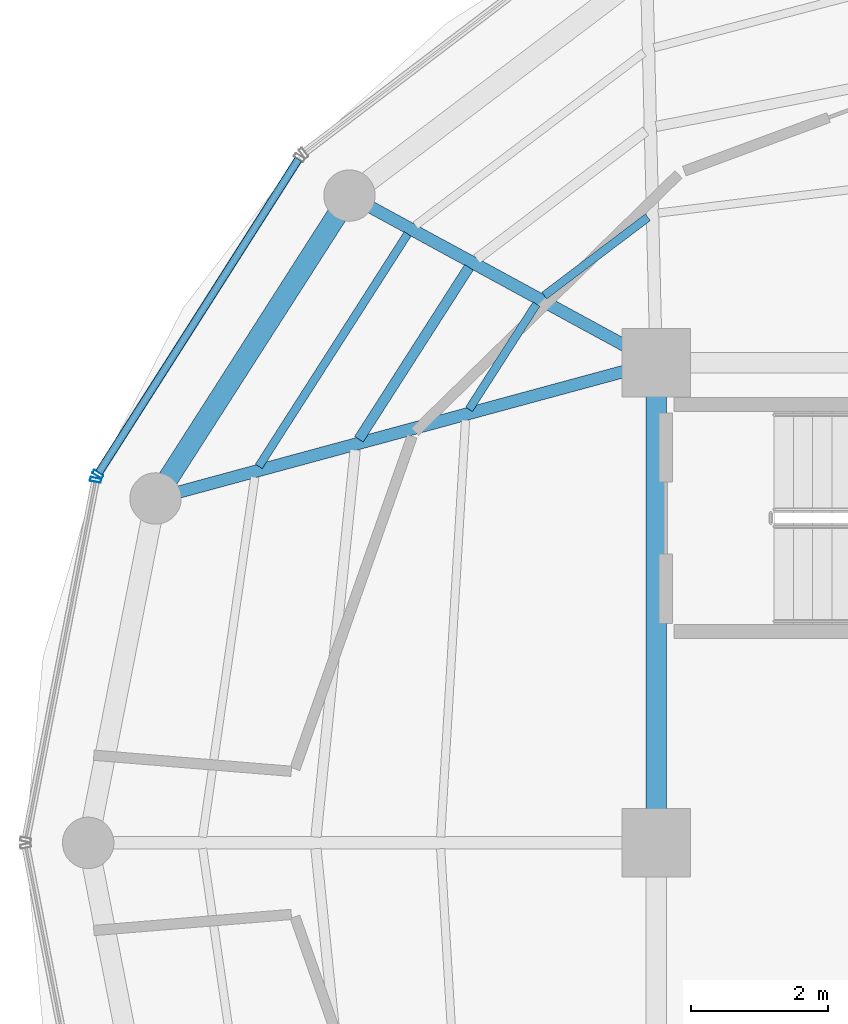
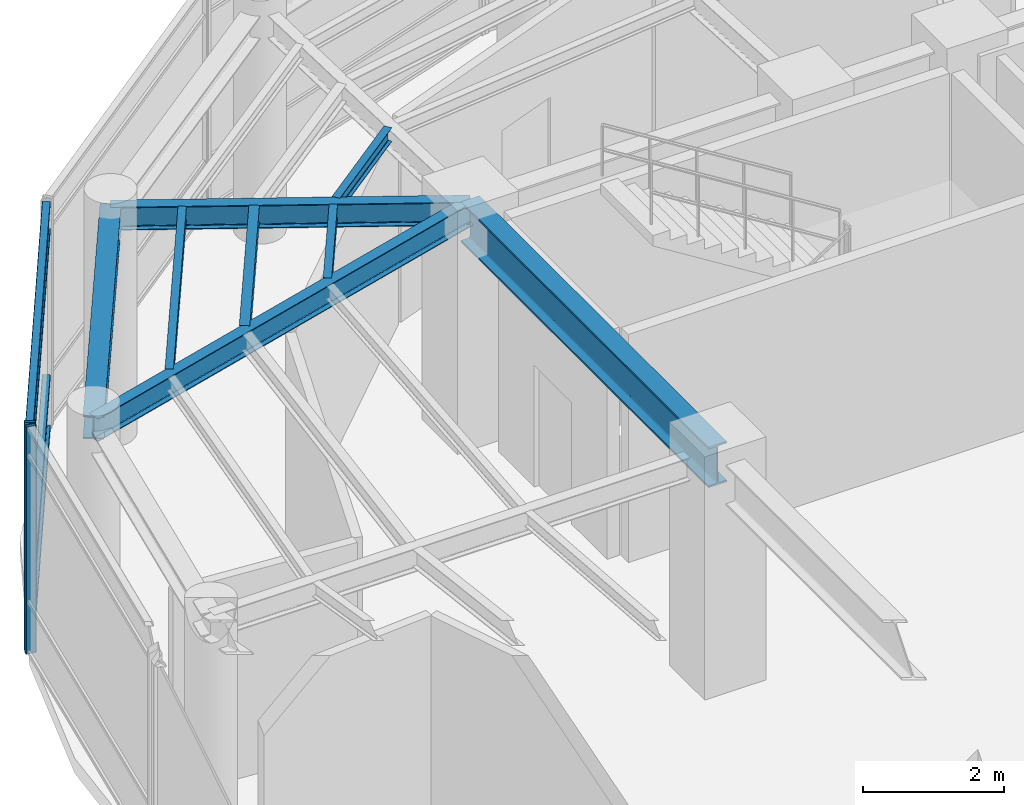
# One storey, part 9 of 19: 8 beams, 6 members, 2 elements without a shape of their own.
"""IFC4 building model written with IfcOpenShell, lengths in metres."""

from ifc_helpers import new_model, si_unit, direction, frame, origin, origin_2d, place, context, subcontext, project, spatial, hollow_rectangle, i_section, extrude, material, layer, layer_set, material_profile, profile_set, type_object, element, aggregate, save


model = new_model("IFC4")

# Units and contexts
model_context = context("Model", 3, precision=1e-05, world=origin(), true_north=direction((0.0, 1.0)))
body_context = subcontext(model_context, "Body", "Model", "MODEL_VIEW")
ifc_project = project(units=[si_unit("LENGTHUNIT", "METRE"), si_unit("AREAUNIT", "SQUARE_METRE"), si_unit("VOLUMEUNIT", "CUBIC_METRE"), si_unit("PLANEANGLEUNIT", "RADIAN"), si_unit("MASSUNIT", "GRAM", prefix="KILO")], contexts=[model_context])

# Site, building, storey
site_placement = place(None, origin())
site = spatial("IfcSite", under=ifc_project, at=site_placement, CompositionType="ELEMENT")
building_placement = place(site_placement, origin())
building = spatial("IfcBuilding", under=site, at=building_placement, Name="Kelanora Arch Commons", CompositionType="ELEMENT")
storey_placement = place(building_placement, frame((0.0, 0.0, 302.699951171875)))
storey = spatial("IfcBuildingStorey", under=building, at=storey_placement, Name="L77", CompositionType="ELEMENT", Elevation=302.699951171875)

# Beams
ifc_material_1 = material(Name="Steel S355", Category="steel")
ifc_material_profile_1 = material_profile(ifc_material_1, i_section(OverallWidth=0.300048828125, OverallDepth=0.699951171875, WebThickness=0.01708984375, FlangeThickness=0.031982421875, FilletRadius=0.027099609375, at=origin_2d()), Name="HEB700")
ifc_profile_set_1 = profile_set([ifc_material_profile_1], Name="Steel S355")
beam_type_1 = type_object("IfcBeamType", Name="BM-CORE-HDR", PredefinedType="BEAM", material=ifc_profile_set_1)
beam_1_placement = place(storey_placement, frame((66.0, 65.0, 3.590087890625), z_axis=(0.0, -1.0, 0.0), x_axis=(1.0, 0.0, 0.0)))
element("IfcBeam", 1, at=beam_1_placement, inside=storey, type_object=beam_type_1, Name="Core Header Beam 08 L77", PredefinedType="BEAM", context=body_context, shape_type="SweptSolid", body=[
    extrude(i_section(OverallWidth=0.300048828125, OverallDepth=0.699951171875, WebThickness=0.01708984375, FlangeThickness=0.031982421875, FilletRadius=0.027099609375, at=origin_2d()), origin(), (0.0, 0.0, 1.0), 7.0),
])
ifc_material_profile_2 = material_profile(ifc_material_1, i_section(OverallWidth=0.14990234375, OverallDepth=0.300048828125, WebThickness=0.007080078125, FlangeThickness=0.0107421875, FilletRadius=0.014892578125, at=origin_2d()), Name="IPE300")
ifc_profile_set_2 = profile_set([ifc_material_profile_2], Name="Steel S355")
beam_type_2 = type_object("IfcBeamType", Name="BM-JST-01", PredefinedType="JOIST", material=ifc_profile_set_2)
beam_2_placement = place(storey_placement, frame((63.271484375, 66.39013671875, 3.7900390625), z_axis=(-0.539193378054, -0.84218198809, 0.0), x_axis=(0.84218198809, -0.539193378054, 0.0)))
element("IfcBeam", 2, at=beam_2_placement, inside=storey, type_object=beam_type_2, Name="Secondary Chord Joist BJB-14 L77", PredefinedType="JOIST", context=body_context, shape_type="SweptSolid", body=[
    extrude(i_section(OverallWidth=0.14990234375, OverallDepth=0.300048828125, WebThickness=0.007080078125, FlangeThickness=0.0107421875, FilletRadius=0.014892578125, at=origin_2d()), origin(), (0.0, 0.0, 1.0), 2.975830078125),
])
ifc_material_profile_3 = material_profile(ifc_material_1, i_section(OverallWidth=0.1201171875, OverallDepth=0.239990234375, WebThickness=0.006103515625, FlangeThickness=0.009765625, FilletRadius=0.014892578125, at=origin_2d()), Name="IPE240")
ifc_profile_set_3 = profile_set([ifc_material_profile_3], Name="Steel S355")
beam_type_3 = type_object("IfcBeamType", Name="BM-JST-02", PredefinedType="JOIST", material=ifc_profile_set_3)
beam_3_placement = place(storey_placement, frame((65.87890625, 67.119873046875, 3.820068359375), z_axis=(-0.797424826317, -0.603418301324, 0.0), x_axis=(0.603418301324, -0.797424826317, 0.0)))
element("IfcBeam", 3, at=beam_3_placement, inside=storey, type_object=beam_type_3, Name="Secondary Chord Joist BJA-12 L77", PredefinedType="JOIST", context=body_context, shape_type="SweptSolid", body=[
    extrude(i_section(OverallWidth=0.1201171875, OverallDepth=0.239990234375, WebThickness=0.006103515625, FlangeThickness=0.009765625, FilletRadius=0.014892578125, at=origin_2d()), origin(), (0.0, 0.0, 1.0), 1.893798828125),
])
beam_4_placement = place(storey_placement, frame((64.255126953125, 65.85400390625, 3.820068359375), z_axis=(-0.539300812993, -0.842113194947, 0.0), x_axis=(0.842113194947, -0.539300812993, 0.0)))
element("IfcBeam", 4, at=beam_4_placement, inside=storey, type_object=beam_type_3, Name="Secondary Chord Joist BJA-14 L77", PredefinedType="JOIST", context=body_context, shape_type="SweptSolid", body=[
    extrude(i_section(OverallWidth=0.1201171875, OverallDepth=0.239990234375, WebThickness=0.006103515625, FlangeThickness=0.009765625, FilletRadius=0.014892578125, at=origin_2d()), origin(), (0.0, 0.0, 1.0), 1.822021484375),
])
beam_5_placement = place(storey_placement, frame((62.377197265625, 66.877197265625, 3.820068359375), z_axis=(-0.539232732312, -0.842156790867, 0.0), x_axis=(0.842156790867, -0.539232732312, 0.0)))
element("IfcBeam", 5, at=beam_5_placement, inside=storey, type_object=beam_type_3, Name="Secondary Chord Joist BJC-14 L77", PredefinedType="JOIST", context=body_context, shape_type="SweptSolid", body=[
    extrude(i_section(OverallWidth=0.1201171875, OverallDepth=0.239990234375, WebThickness=0.006103515625, FlangeThickness=0.009765625, FilletRadius=0.014892578125, at=origin_2d()), origin(), (0.0, 0.0, 1.0), 4.024169921875),
])
ifc_material_profile_4 = material_profile(ifc_material_1, i_section(OverallWidth=0.179931640625, OverallDepth=0.39990234375, WebThickness=0.008544921875, FlangeThickness=0.013427734375, FilletRadius=0.02099609375, at=origin_2d()), Name="IPE400")
ifc_profile_set_4 = profile_set([ifc_material_profile_4], Name="Steel S355")
beam_type_4 = type_object("IfcBeamType", Name="BM-RAD-Z5", PredefinedType="BEAM", material=ifc_profile_set_4)
beam_6_placement = place(storey_placement, frame((66.0, 65.0, 3.739990234375), z_axis=(-0.878126355987, 0.478428785631, 0.0), x_axis=(-0.478428785631, -0.878126355987, 0.0)))
element("IfcBeam", 6, at=beam_6_placement, inside=storey, type_object=beam_type_4, Name="Radial Floor Girder BR-14 L77", PredefinedType="BEAM", context=body_context, shape_type="SweptSolid", body=[
    extrude(i_section(OverallWidth=0.179931640625, OverallDepth=0.39990234375, WebThickness=0.008544921875, FlangeThickness=0.013427734375, FilletRadius=0.02099609375, at=origin_2d()), origin(), (0.0, 0.0, 1.0), 5.091796875),
])
beam_7_placement = place(storey_placement, frame((66.0, 65.0, 3.739990234375), z_axis=(-0.965145027625, -0.26171563891, 0.0), x_axis=(0.26171563891, -0.965145027625, 0.0)))
element("IfcBeam", 7, at=beam_7_placement, inside=storey, type_object=beam_type_4, Name="Radial Floor Girder BR-16 L77", PredefinedType="BEAM", context=body_context, shape_type="SweptSolid", body=[
    extrude(i_section(OverallWidth=0.179931640625, OverallDepth=0.39990234375, WebThickness=0.008544921875, FlangeThickness=0.013427734375, FilletRadius=0.02099609375, at=origin_2d()), origin(), (0.0, 0.0, 1.0), 7.561767578125),
])
ifc_material_profile_5 = material_profile(ifc_material_1, i_section(OverallWidth=0.300048828125, OverallDepth=0.39990234375, WebThickness=0.013427734375, FlangeThickness=0.02392578125, FilletRadius=0.027099609375, at=origin_2d()), Name="HEB400")
ifc_profile_set_5 = profile_set([ifc_material_profile_5], Name="Steel S355")
beam_type_5 = type_object("IfcBeamType", Name="BM-SPN-Z4", PredefinedType="SPANDREL", material=ifc_profile_set_5)
beam_8_placement = place(storey_placement, frame((61.52880859375, 67.43603515625, 3.739990234375), z_axis=(-0.53922680048, -0.842160588987, 0.0), x_axis=(0.842160588987, -0.53922680048, 0.0)))
element("IfcBeam", 8, at=beam_8_placement, inside=storey, type_object=beam_type_5, Name="Perimeter Spandrel Beam BS-14 L77", PredefinedType="SPANDREL", context=body_context, shape_type="SweptSolid", body=[
    extrude(i_section(OverallWidth=0.300048828125, OverallDepth=0.39990234375, WebThickness=0.013427734375, FlangeThickness=0.02392578125, FilletRadius=0.027099609375, at=origin_2d()), origin(), (0.0, 0.0, 1.0), 5.242431640625),
])

# Curtain wall, member
ifc_material_2 = material(Name="Terracotta ceramic-fritted low-E glass and aluminium", Category="masonry")
ifc_layer = layer(ifc_material_2, 0.14990234375)
ifc_layer_set = layer_set([ifc_layer], Name="Terracotta ceramic-fritted low-E glass and aluminium")
curtain_wall_type = type_object("IfcCurtainWallType", Name="CW-SYS-06", PredefinedType="NOTDEFINED", material=ifc_layer_set)
curtain_wall_1_placement = place(storey_placement, origin())
curtain_wall_1 = element("IfcCurtainWall", 9, at=curtain_wall_1_placement, inside=storey, type_object=curtain_wall_type, Name="Unitised Curtain Wall L77-B07", PredefinedType="NOTDEFINED")
ifc_material_3 = material(Name="Powder-coated aluminium terracotta", Category="masonry")
ifc_material_profile_6 = material_profile(ifc_material_3, hollow_rectangle(XDim=0.159912109375, YDim=0.06005859375, WallThickness=0.0048828125, InnerFilletRadius=0.0048828125, OuterFilletRadius=0.010009765625, at=origin_2d()), Name="CWM160x60")
ifc_profile_set_6 = profile_set([ifc_material_profile_6], Name="Powder-coated aluminium terracotta")
member_type_1 = type_object("IfcMemberType", Name="CWM-STD", PredefinedType="MULLION", material=ifc_profile_set_6)
member_1_placement = place(storey_placement, frame((57.861572265625, 63.37353515625, 0.0), z_axis=(0.0, 0.0, 1.0), x_axis=(0.84359225554, -0.536984270154, 0.0)))
member_1 = element("IfcMember", 10, at=member_1_placement, type_object=member_type_1, Name="CW-06 mullion 2", PredefinedType="MULLION", context=body_context, shape_type="SweptSolid", body=[
    extrude(hollow_rectangle(XDim=0.159912109375, YDim=0.06005859375, WallThickness=0.0048828125, InnerFilletRadius=0.0048828125, OuterFilletRadius=0.010009765625, at=origin_2d()), origin(), (0.0, 0.0, 1.0), 3.925048828125),
])

curtain_wall_2_placement = place(storey_placement, origin())
curtain_wall_2 = element("IfcCurtainWall", 11, at=curtain_wall_2_placement, inside=storey, type_object=curtain_wall_type, Name="Unitised Curtain Wall L77-B08", PredefinedType="NOTDEFINED")
member_2_placement = place(storey_placement, frame((57.82861328125, 63.291259765625, 0.0), z_axis=(0.0, 0.0, 1.0), x_axis=(0.981623765263, -0.190826579571, 0.0)))
member_2 = element("IfcMember", 12, at=member_2_placement, type_object=member_type_1, Name="CW-06 mullion 1", PredefinedType="MULLION", context=body_context, shape_type="SweptSolid", body=[
    extrude(hollow_rectangle(XDim=0.159912109375, YDim=0.06005859375, WallThickness=0.0048828125, InnerFilletRadius=0.0048828125, OuterFilletRadius=0.010009765625, at=origin_2d()), origin(), (0.0, 0.0, 1.0), 3.925048828125),
])
aggregate(curtain_wall_2, [member_2])

# Member
ifc_material_profile_7 = material_profile(ifc_material_3, hollow_rectangle(XDim=0.1201171875, YDim=0.06005859375, WallThickness=0.0048828125, InnerFilletRadius=0.0048828125, OuterFilletRadius=0.010009765625, at=origin_2d()), Name="CWT120x60")
ifc_profile_set_7 = profile_set([ifc_material_profile_7], Name="Powder-coated aluminium terracotta")
member_type_2 = type_object("IfcMemberType", Name="CWT-STD", PredefinedType="USERDEFINED", material=ifc_profile_set_7)
member_3_placement = place(storey_placement, frame((60.78369140625, 67.964111328125, 0.030029296875), z_axis=(-0.536992252766, -0.843587174197, 0.0), x_axis=(0.843587174197, -0.536992252766, 0.0)))
member_3 = element("IfcMember", 13, at=member_3_placement, type_object=member_type_2, Name="CW-06 transom 1.1", ObjectType="TRANSOM", PredefinedType="USERDEFINED", context=body_context, shape_type="SweptSolid", body=[
    extrude(hollow_rectangle(XDim=0.1201171875, YDim=0.06005859375, WallThickness=0.0048828125, InnerFilletRadius=0.0048828125, OuterFilletRadius=0.010009765625, at=origin_2d()), origin(), (0.0, 0.0, 1.0), 5.41162109375),
])

member_4_placement = place(storey_placement, frame((60.78369140625, 67.964111328125, 0.900146484375), z_axis=(-0.536992252766, -0.843587174197, 0.0), x_axis=(0.843587174197, -0.536992252766, 0.0)))
member_4 = element("IfcMember", 14, at=member_4_placement, type_object=member_type_2, Name="CW-06 transom 1.2", ObjectType="TRANSOM", PredefinedType="USERDEFINED", context=body_context, shape_type="SweptSolid", body=[
    extrude(hollow_rectangle(XDim=0.1201171875, YDim=0.06005859375, WallThickness=0.0048828125, InnerFilletRadius=0.0048828125, OuterFilletRadius=0.010009765625, at=origin_2d()), origin(), (0.0, 0.0, 1.0), 5.41162109375),
])

member_5_placement = place(storey_placement, frame((60.78369140625, 67.964111328125, 3.425048828125), z_axis=(-0.536992252766, -0.843587174197, 0.0), x_axis=(0.843587174197, -0.536992252766, 0.0)))
member_5 = element("IfcMember", 15, at=member_5_placement, type_object=member_type_2, Name="CW-06 transom 1.3", ObjectType="TRANSOM", PredefinedType="USERDEFINED", context=body_context, shape_type="SweptSolid", body=[
    extrude(hollow_rectangle(XDim=0.1201171875, YDim=0.06005859375, WallThickness=0.0048828125, InnerFilletRadius=0.0048828125, OuterFilletRadius=0.010009765625, at=origin_2d()), origin(), (0.0, 0.0, 1.0), 5.41162109375),
])

member_6_placement = place(storey_placement, frame((60.78369140625, 67.964111328125, 3.89501953125), z_axis=(-0.536992252766, -0.843587174197, 0.0), x_axis=(0.843587174197, -0.536992252766, 0.0)))
member_6 = element("IfcMember", 16, at=member_6_placement, type_object=member_type_2, Name="CW-06 transom 1.4", ObjectType="TRANSOM", PredefinedType="USERDEFINED", context=body_context, shape_type="SweptSolid", body=[
    extrude(hollow_rectangle(XDim=0.1201171875, YDim=0.06005859375, WallThickness=0.0048828125, InnerFilletRadius=0.0048828125, OuterFilletRadius=0.010009765625, at=origin_2d()), origin(), (0.0, 0.0, 1.0), 5.41162109375),
])

aggregate(curtain_wall_1, [member_1, member_3, member_4, member_5, member_6])

save(model, "model.ifc")
